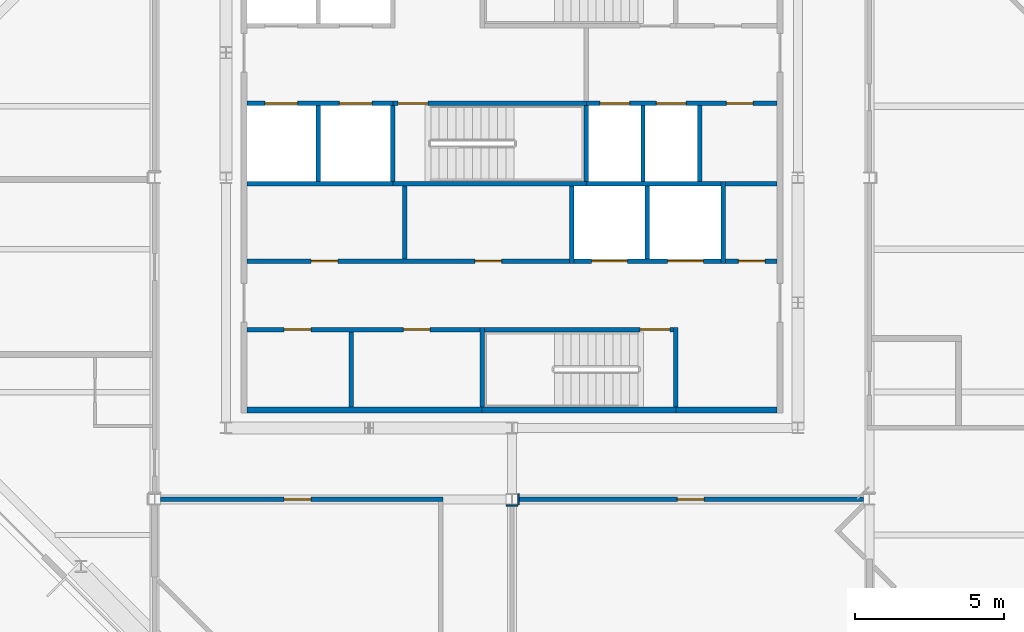
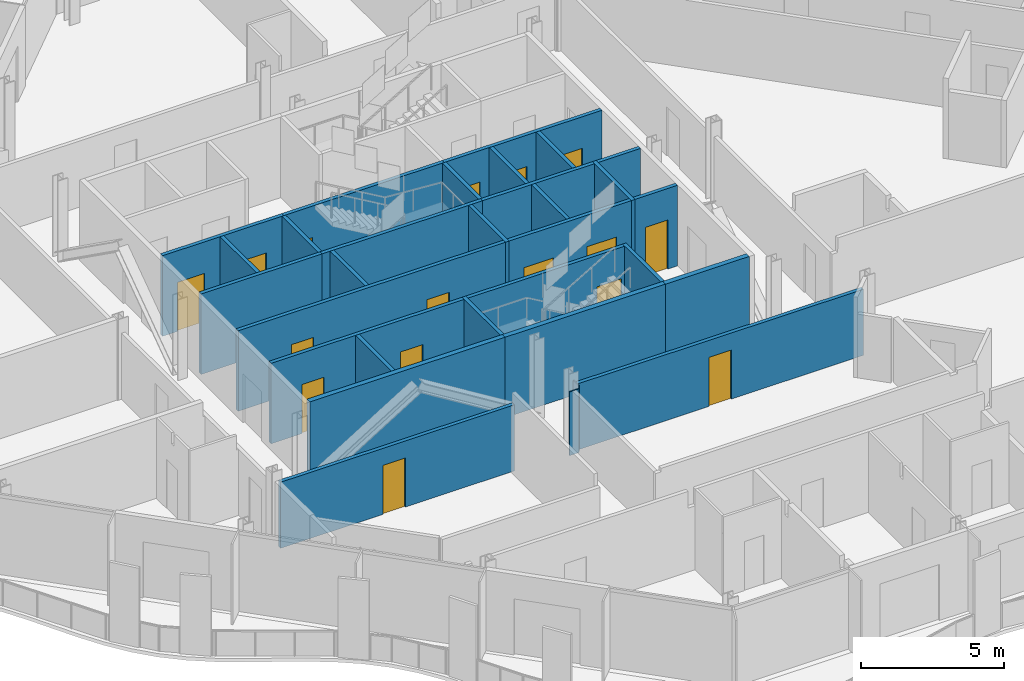
# One storey, part 8 of 17: 31 walls, 16 doors, 16 openings.
"""IFC4 building model written with IfcOpenShell, lengths in metres."""

from ifc_helpers import new_model, si_unit, direction, frame, frame_2d, origin, place, context, subcontext, project, spatial, rectangle, extrude, material, layer, layer_set, type_object, element, fill, save


model = new_model("IFC4")

# Units and contexts
model_context = context("Model", 3, precision=1e-05, world=origin(), true_north=direction((0.0, 1.0)))
body_context = subcontext(model_context, "Body", "Model", "MODEL_VIEW")
ifc_project = project(units=[si_unit("LENGTHUNIT", "METRE"), si_unit("AREAUNIT", "SQUARE_METRE"), si_unit("VOLUMEUNIT", "CUBIC_METRE"), si_unit("PLANEANGLEUNIT", "RADIAN"), si_unit("MASSUNIT", "GRAM", prefix="KILO")], contexts=[model_context])

# Site, building, storey
site_placement = place(None, origin())
site = spatial("IfcSite", under=ifc_project, at=site_placement, CompositionType="ELEMENT")
building_placement = place(site_placement, origin())
building = spatial("IfcBuilding", under=site, at=building_placement, Name="Cairn Pilgrim Tower", CompositionType="ELEMENT")
storey_placement = place(building_placement, frame((0.0, 0.0, 253.800048828125)))
storey = spatial("IfcBuildingStorey", under=building, at=storey_placement, Name="L65", CompositionType="ELEMENT", Elevation=253.800048828125)

# Walls
ifc_material_1 = material(Name="Concrete C32/40", Category="concrete")
ifc_layer_1 = layer(ifc_material_1, 0.199951171875)
ifc_layer_set_1 = layer_set([ifc_layer_1], Name="CORE OUTER WALL 200 EI 120")
wall_type_1 = type_object("IfcWallType", Name="CORE OUTER WALL 200 EI 120", PredefinedType="SOLIDWALL", material=ifc_layer_set_1)
wall_1_placement = place(storey_placement, frame((-1.699951171875, -5.39990234375, 0.0), z_axis=(0.0, 0.0, 1.0), x_axis=(1.0, 0.0, 0.0)))
element("IfcWall", 1, at=wall_1_placement, inside=storey, type_object=wall_type_1, Name="CW:L65:H01-1", PredefinedType="SOLIDWALL", context=body_context, shape_type="SweptSolid", body=[
    extrude(rectangle(XDim=7.89990234375, YDim=0.199951171875, at=frame_2d((3.949951171875, 0.0))), origin(), (0.0, 0.0, 1.0), 3.449951171875),
])
wall_2_placement = place(storey_placement, frame((12.699951171875, -5.39990234375, 0.0), z_axis=(0.0, 0.0, 1.0), x_axis=(1.0, 0.0, 0.0)))
element("IfcWall", 2, at=wall_2_placement, inside=storey, type_object=wall_type_1, Name="CW:L65:H01-3", PredefinedType="SOLIDWALL", context=body_context, shape_type="SweptSolid", body=[
    extrude(rectangle(XDim=3.400146484375, YDim=0.199951171875, at=frame_2d((1.7001953125, 0.0))), origin(), (0.0, 0.0, 1.0), 3.449951171875),
])

# Wall, openings, doors
ifc_layer_2 = layer(ifc_material_1, 0.14990234375)
ifc_layer_set_2 = layer_set([ifc_layer_2], Name="CORE PARTITION 150 EI 60")
wall_type_2 = type_object("IfcWallType", Name="CORE PARTITION 150 EI 60", PredefinedType="PARTITIONING", material=ifc_layer_set_2)
wall_3_placement = place(storey_placement, frame((-1.699951171875, -2.699951171875, 0.0), z_axis=(0.0, 0.0, 1.0), x_axis=(1.0, 0.0, 0.0)))
wall_3 = element("IfcWall", 3, at=wall_3_placement, inside=storey, type_object=wall_type_2, Name="CW:L65:H02", PredefinedType="PARTITIONING", context=body_context, shape_type="SweptSolid", body=[
    extrude(rectangle(XDim=7.824951171875, YDim=0.14990234375, at=frame_2d((3.91259765625, 0.0))), origin(), (0.0, 0.0, 1.0), 3.449951171875),
])
opening_1_placement = place(wall_3_placement, frame((1.25, 0.0, 0.0)))
opening_1 = element("IfcOpeningElement", 4, at=opening_1_placement, cuts=wall_3, Name="Opening RD-R1W1", PredefinedType="OPENING", context=body_context, shape_type="SweptSolid", body=[
    extrude(rectangle(XDim=0.89990234375, YDim=2.10009765625, at=frame_2d((0.449951171875, 1.050048828125))), frame((0.0, 0.0849609375, 0.0), z_axis=(0.0, -1.0, 0.0), x_axis=(1.0, 0.0, 0.0)), (0.0, 0.0, 1.0), 0.169921875),
])
opening_2_placement = place(wall_3_placement, frame((5.25, 0.0, 0.0)))
opening_2 = element("IfcOpeningElement", 5, at=opening_2_placement, cuts=wall_3, Name="Opening RD-R1W2", PredefinedType="OPENING", context=body_context, shape_type="SweptSolid", body=[
    extrude(rectangle(XDim=0.89990234375, YDim=2.10009765625, at=frame_2d((0.449951171875, 1.050048828125))), frame((0.0, 0.0849609375, 0.0), z_axis=(0.0, -1.0, 0.0), x_axis=(1.0, 0.0, 0.0)), (0.0, 0.0, 1.0), 0.169921875),
])
ifc_material_2 = material(Name="Painted steel", Category="steel")
door_type_1 = type_object("IfcDoorType", Name="SERVICE ROOM DOOR 900x2100", OperationType="SINGLE_SWING_LEFT", PredefinedType="DOOR", material=ifc_material_2)
door_1_placement = place(opening_1_placement, origin())
door_1 = element("IfcDoor", 6, at=door_1_placement, inside=storey, type_object=door_type_1, Name="RD-R1W1", OperationType="SINGLE_SWING_LEFT", OverallHeight=2.10009765625, OverallWidth=0.89990234375, PredefinedType="DOOR", context=body_context, shape_type="SweptSolid", body=[
    extrude(rectangle(XDim=0.89990234375, YDim=2.10009765625, at=frame_2d((0.449951171875, 1.050048828125))), frame((0.0, 0.02490234375, 0.0), z_axis=(0.0, -1.0, 0.0), x_axis=(1.0, 0.0, 0.0)), (0.0, 0.0, 1.0), 0.050048828125),
])
fill(opening_1, door_1)
door_2_placement = place(opening_2_placement, origin())
door_2 = element("IfcDoor", 7, at=door_2_placement, inside=storey, type_object=door_type_1, Name="RD-R1W2", OperationType="SINGLE_SWING_RIGHT", OverallHeight=2.10009765625, OverallWidth=0.89990234375, PredefinedType="DOOR", context=body_context, shape_type="SweptSolid", body=[
    extrude(rectangle(XDim=0.89990234375, YDim=2.10009765625, at=frame_2d((0.449951171875, 1.050048828125))), frame((0.0, 0.02490234375, 0.0), z_axis=(0.0, -1.0, 0.0), x_axis=(1.0, 0.0, 0.0)), (0.0, 0.0, 1.0), 0.050048828125),
])
fill(opening_2, door_2)

wall_4_placement = place(storey_placement, frame((-1.699951171875, -0.39990234375, 0.0), z_axis=(0.0, 0.0, 1.0), x_axis=(1.0, 0.0, 0.0)))
wall_4 = element("IfcWall", 8, at=wall_4_placement, inside=storey, type_object=wall_type_2, Name="CW:L65:H04", PredefinedType="PARTITIONING", context=body_context, shape_type="SweptSolid", body=[
    extrude(rectangle(XDim=10.824951171875, YDim=0.14990234375, at=frame_2d((5.41259765625, 0.0))), origin(), (0.0, 0.0, 1.0), 3.449951171875),
])
opening_3_placement = place(wall_4_placement, frame((2.14990234375, 0.0, 0.0)))
opening_3 = element("IfcOpeningElement", 9, at=opening_3_placement, cuts=wall_4, Name="Opening RD-R2W1", PredefinedType="OPENING", context=body_context, shape_type="SweptSolid", body=[
    extrude(rectangle(XDim=0.89990234375, YDim=2.10009765625, at=frame_2d((0.449951171875, 1.050048828125))), frame((0.0, 0.0849609375, 0.0), z_axis=(0.0, -1.0, 0.0), x_axis=(1.0, 0.0, 0.0)), (0.0, 0.0, 1.0), 0.169921875),
])
opening_4_placement = place(wall_4_placement, frame((7.64990234375, 0.0, 0.0)))
opening_4 = element("IfcOpeningElement", 10, at=opening_4_placement, cuts=wall_4, Name="Opening RD-R2W2", PredefinedType="OPENING", context=body_context, shape_type="SweptSolid", body=[
    extrude(rectangle(XDim=0.89990234375, YDim=2.10009765625, at=frame_2d((0.449951171875, 1.050048828125))), frame((0.0, 0.0849609375, 0.0), z_axis=(0.0, -1.0, 0.0), x_axis=(1.0, 0.0, 0.0)), (0.0, 0.0, 1.0), 0.169921875),
])
door_3_placement = place(opening_3_placement, origin())
door_3 = element("IfcDoor", 11, at=door_3_placement, inside=storey, type_object=door_type_1, Name="RD-R2W1", OperationType="SINGLE_SWING_LEFT", OverallHeight=2.10009765625, OverallWidth=0.89990234375, PredefinedType="DOOR", context=body_context, shape_type="SweptSolid", body=[
    extrude(rectangle(XDim=0.89990234375, YDim=2.10009765625, at=frame_2d((0.449951171875, 1.050048828125))), frame((0.0, 0.02490234375, 0.0), z_axis=(0.0, -1.0, 0.0), x_axis=(1.0, 0.0, 0.0)), (0.0, 0.0, 1.0), 0.050048828125),
])
fill(opening_3, door_3)
door_4_placement = place(opening_4_placement, origin())
door_4 = element("IfcDoor", 12, at=door_4_placement, inside=storey, type_object=door_type_1, Name="RD-R2W2", OperationType="SINGLE_SWING_RIGHT", OverallHeight=2.10009765625, OverallWidth=0.89990234375, PredefinedType="DOOR", context=body_context, shape_type="SweptSolid", body=[
    extrude(rectangle(XDim=0.89990234375, YDim=2.10009765625, at=frame_2d((0.449951171875, 1.050048828125))), frame((0.0, 0.02490234375, 0.0), z_axis=(0.0, -1.0, 0.0), x_axis=(1.0, 0.0, 0.0)), (0.0, 0.0, 1.0), 0.050048828125),
])
fill(opening_4, door_4)

# Wall, opening, door
wall_5_placement = place(storey_placement, frame((14.375, -0.39990234375, 0.0), z_axis=(0.0, 0.0, 1.0), x_axis=(1.0, 0.0, 0.0)))
wall_5 = element("IfcWall", 13, at=wall_5_placement, inside=storey, type_object=wall_type_2, Name="CW:L65:H06", PredefinedType="PARTITIONING", context=body_context, shape_type="SweptSolid", body=[
    extrude(rectangle(XDim=1.72509765625, YDim=0.14990234375, at=frame_2d((0.862548828125, 0.0))), origin(), (0.0, 0.0, 1.0), 3.449951171875),
])
opening_5_placement = place(wall_5_placement, frame((0.425048828125, 0.0, 0.0)))
opening_5 = element("IfcOpeningElement", 14, at=opening_5_placement, cuts=wall_5, Name="Opening RD-R2E", PredefinedType="OPENING", context=body_context, shape_type="SweptSolid", body=[
    extrude(rectangle(XDim=0.89990234375, YDim=2.10009765625, at=frame_2d((0.449951171875, 1.050048828125))), frame((0.0, 0.0849609375, 0.0), z_axis=(0.0, -1.0, 0.0), x_axis=(1.0, 0.0, 0.0)), (0.0, 0.0, 1.0), 0.169921875),
])
door_5_placement = place(opening_5_placement, origin())
door_5 = element("IfcDoor", 15, at=door_5_placement, inside=storey, type_object=door_type_1, Name="RD-R2E", OperationType="SINGLE_SWING_RIGHT", OverallHeight=2.10009765625, OverallWidth=0.89990234375, PredefinedType="DOOR", context=body_context, shape_type="SweptSolid", body=[
    extrude(rectangle(XDim=0.89990234375, YDim=2.10009765625, at=frame_2d((0.449951171875, 1.050048828125))), frame((0.0, 0.02490234375, 0.0), z_axis=(0.0, -1.0, 0.0), x_axis=(1.0, 0.0, 0.0)), (0.0, 0.0, 1.0), 0.050048828125),
])
fill(opening_5, door_5)

# Walls
wall_6_placement = place(storey_placement, frame((14.375, 2.199951171875, 0.0), z_axis=(0.0, 0.0, 1.0), x_axis=(1.0, 0.0, 0.0)))
element("IfcWall", 16, at=wall_6_placement, inside=storey, type_object=wall_type_2, Name="CW:L65:H08", PredefinedType="PARTITIONING", context=body_context, shape_type="SweptSolid", body=[
    extrude(rectangle(XDim=1.72509765625, YDim=0.14990234375, at=frame_2d((0.862548828125, 0.0))), origin(), (0.0, 0.0, 1.0), 3.449951171875),
])
wall_7_placement = place(storey_placement, frame((1.800048828125, -5.300048828125, 0.0), z_axis=(0.0, 0.0, 1.0), x_axis=(0.0, 1.0, 0.0)))
element("IfcWall", 17, at=wall_7_placement, inside=storey, type_object=wall_type_2, Name="CW:L65:V16", PredefinedType="PARTITIONING", context=body_context, shape_type="SweptSolid", body=[
    extrude(rectangle(XDim=2.525146484375, YDim=0.14990234375, at=frame_2d((1.2626953125, 0.0))), origin(), (0.0, 0.0, 1.0), 3.449951171875),
])
wall_8_placement = place(storey_placement, frame((3.60009765625, -0.324951171875, 0.0), z_axis=(0.0, 0.0, 1.0), x_axis=(0.0, 1.0, 0.0)))
element("IfcWall", 18, at=wall_8_placement, inside=storey, type_object=wall_type_2, Name="CW:L65:V19", PredefinedType="PARTITIONING", context=body_context, shape_type="SweptSolid", body=[
    extrude(rectangle(XDim=2.449951171875, YDim=0.14990234375, at=frame_2d((1.22509765625, 0.0))), origin(), (0.0, 0.0, 1.0), 3.449951171875),
])

# Wall, openings, doors
ifc_layer_3 = layer(ifc_material_1, 0.14990234375)
ifc_layer_set_3 = layer_set([ifc_layer_3], Name="CORE SHAFT WALL 150 EI 120")
wall_type_3 = type_object("IfcWallType", Name="CORE SHAFT WALL 150 EI 120", PredefinedType="SOLIDWALL", material=ifc_layer_set_3)
wall_9_placement = place(storey_placement, frame((9.27490234375, -0.39990234375, 0.0), z_axis=(0.0, 0.0, 1.0), x_axis=(1.0, 0.0, 0.0)))
wall_9 = element("IfcWall", 19, at=wall_9_placement, inside=storey, type_object=wall_type_3, Name="CW:L65:H05", PredefinedType="SOLIDWALL", context=body_context, shape_type="SweptSolid", body=[
    extrude(rectangle(XDim=4.9501953125, YDim=0.14990234375, at=frame_2d((2.47509765625, 0.0))), origin(), (0.0, 0.0, 1.0), 3.449951171875),
])
opening_6_placement = place(wall_9_placement, frame((0.60009765625, 0.0, 0.0)))
opening_6 = element("IfcOpeningElement", 20, at=opening_6_placement, cuts=wall_9, Name="Opening LD-SV1", PredefinedType="OPENING", context=body_context, shape_type="SweptSolid", body=[
    extrude(rectangle(XDim=1.199951171875, YDim=2.10009765625, at=frame_2d((0.60009765625, 1.050048828125))), frame((0.0, 0.0849609375, 0.0), z_axis=(0.0, -1.0, 0.0), x_axis=(1.0, 0.0, 0.0)), (0.0, 0.0, 1.0), 0.169921875),
])
opening_7_placement = place(wall_9_placement, frame((3.14990234375, 0.0, 0.0)))
opening_7 = element("IfcOpeningElement", 21, at=opening_7_placement, cuts=wall_9, Name="Opening LD-SV2", PredefinedType="OPENING", context=body_context, shape_type="SweptSolid", body=[
    extrude(rectangle(XDim=1.199951171875, YDim=2.10009765625, at=frame_2d((0.60009765625, 1.050048828125))), frame((0.0, 0.0849609375, 0.0), z_axis=(0.0, -1.0, 0.0), x_axis=(1.0, 0.0, 0.0)), (0.0, 0.0, 1.0), 0.169921875),
])
ifc_material_3 = material(Name="Stainless steel", Category="steel")
door_type_2 = type_object("IfcDoorType", Name="LIFT LANDING DOOR 1200x2100", OperationType="DOUBLE_DOOR_SLIDING", PredefinedType="DOOR", material=ifc_material_3)
door_6_placement = place(opening_6_placement, origin())
door_6 = element("IfcDoor", 22, at=door_6_placement, inside=storey, type_object=door_type_2, Name="LANDING DOOR SV1", OperationType="DOUBLE_DOOR_SLIDING", OverallHeight=2.10009765625, OverallWidth=1.199951171875, PredefinedType="DOOR", context=body_context, shape_type="SweptSolid", body=[
    extrude(rectangle(XDim=1.199951171875, YDim=2.10009765625, at=frame_2d((0.60009765625, 1.050048828125))), frame((0.0, 0.02490234375, 0.0), z_axis=(0.0, -1.0, 0.0), x_axis=(1.0, 0.0, 0.0)), (0.0, 0.0, 1.0), 0.050048828125),
])
fill(opening_6, door_6)
door_7_placement = place(opening_7_placement, origin())
door_7 = element("IfcDoor", 23, at=door_7_placement, inside=storey, type_object=door_type_2, Name="LANDING DOOR SV2", OperationType="DOUBLE_DOOR_SLIDING", OverallHeight=2.10009765625, OverallWidth=1.199951171875, PredefinedType="DOOR", context=body_context, shape_type="SweptSolid", body=[
    extrude(rectangle(XDim=1.199951171875, YDim=2.10009765625, at=frame_2d((0.60009765625, 1.050048828125))), frame((0.0, 0.02490234375, 0.0), z_axis=(0.0, -1.0, 0.0), x_axis=(1.0, 0.0, 0.0)), (0.0, 0.0, 1.0), 0.050048828125),
])
fill(opening_7, door_7)

# Walls
wall_10_placement = place(storey_placement, frame((-1.699951171875, 2.199951171875, 0.0), z_axis=(0.0, 0.0, 1.0), x_axis=(1.0, 0.0, 0.0)))
element("IfcWall", 24, at=wall_10_placement, inside=storey, type_object=wall_type_3, Name="CW:L65:H07-1", PredefinedType="SOLIDWALL", context=body_context, shape_type="SweptSolid", body=[
    extrude(rectangle(XDim=4.89990234375, YDim=0.14990234375, at=frame_2d((2.449951171875, 0.0))), origin(), (0.0, 0.0, 1.0), 3.449951171875),
])
wall_11_placement = place(storey_placement, frame((9.699951171875, 2.199951171875, 0.0), z_axis=(0.0, 0.0, 1.0), x_axis=(1.0, 0.0, 0.0)))
element("IfcWall", 25, at=wall_11_placement, inside=storey, type_object=wall_type_3, Name="CW:L65:H07-3", PredefinedType="SOLIDWALL", context=body_context, shape_type="SweptSolid", body=[
    extrude(rectangle(XDim=4.525146484375, YDim=0.14990234375, at=frame_2d((2.2626953125, 0.0))), origin(), (0.0, 0.0, 1.0), 3.449951171875),
])

# Wall, openings, doors
wall_12_placement = place(storey_placement, frame((-1.699951171875, 4.89990234375, 0.0), z_axis=(0.0, 0.0, 1.0), x_axis=(1.0, 0.0, 0.0)))
wall_12 = element("IfcWall", 26, at=wall_12_placement, inside=storey, type_object=wall_type_3, Name="CW:L65:H09-1", PredefinedType="SOLIDWALL", context=body_context, shape_type="SweptSolid", body=[
    extrude(rectangle(XDim=4.89990234375, YDim=0.14990234375, at=frame_2d((2.449951171875, 0.0))), origin(), (0.0, 0.0, 1.0), 3.449951171875),
])
opening_8_placement = place(wall_12_placement, frame((0.60009765625, 0.0, 0.0)))
opening_8 = element("IfcOpeningElement", 27, at=opening_8_placement, cuts=wall_12, Name="Opening LD-HR1", PredefinedType="OPENING", context=body_context, shape_type="SweptSolid", body=[
    extrude(rectangle(XDim=1.10009765625, YDim=2.10009765625, at=frame_2d((0.550048828125, 1.050048828125))), frame((0.0, 0.0849609375, 0.0), z_axis=(0.0, -1.0, 0.0), x_axis=(1.0, 0.0, 0.0)), (0.0, 0.0, 1.0), 0.169921875),
])
opening_9_placement = place(wall_12_placement, frame((3.10009765625, 0.0, 0.0)))
opening_9 = element("IfcOpeningElement", 28, at=opening_9_placement, cuts=wall_12, Name="Opening LD-HR2", PredefinedType="OPENING", context=body_context, shape_type="SweptSolid", body=[
    extrude(rectangle(XDim=1.10009765625, YDim=2.10009765625, at=frame_2d((0.550048828125, 1.050048828125))), frame((0.0, 0.0849609375, 0.0), z_axis=(0.0, -1.0, 0.0), x_axis=(1.0, 0.0, 0.0)), (0.0, 0.0, 1.0), 0.169921875),
])
door_type_3 = type_object("IfcDoorType", Name="LIFT LANDING DOOR 1100x2100", OperationType="DOUBLE_DOOR_SLIDING", PredefinedType="DOOR", material=ifc_material_3)
door_8_placement = place(opening_8_placement, origin())
door_8 = element("IfcDoor", 29, at=door_8_placement, inside=storey, type_object=door_type_3, Name="LANDING DOOR HR1", OperationType="DOUBLE_DOOR_SLIDING", OverallHeight=2.10009765625, OverallWidth=1.10009765625, PredefinedType="DOOR", context=body_context, shape_type="SweptSolid", body=[
    extrude(rectangle(XDim=1.10009765625, YDim=2.10009765625, at=frame_2d((0.550048828125, 1.050048828125))), frame((0.0, 0.02490234375, 0.0), z_axis=(0.0, -1.0, 0.0), x_axis=(1.0, 0.0, 0.0)), (0.0, 0.0, 1.0), 0.050048828125),
])
fill(opening_8, door_8)
door_9_placement = place(opening_9_placement, origin())
door_9 = element("IfcDoor", 30, at=door_9_placement, inside=storey, type_object=door_type_3, Name="LANDING DOOR HR2", OperationType="DOUBLE_DOOR_SLIDING", OverallHeight=2.10009765625, OverallWidth=1.10009765625, PredefinedType="DOOR", context=body_context, shape_type="SweptSolid", body=[
    extrude(rectangle(XDim=1.10009765625, YDim=2.10009765625, at=frame_2d((0.550048828125, 1.050048828125))), frame((0.0, 0.02490234375, 0.0), z_axis=(0.0, -1.0, 0.0), x_axis=(1.0, 0.0, 0.0)), (0.0, 0.0, 1.0), 0.050048828125),
])
fill(opening_9, door_9)

wall_13_placement = place(storey_placement, frame((9.699951171875, 4.89990234375, 0.0), z_axis=(0.0, 0.0, 1.0), x_axis=(1.0, 0.0, 0.0)))
wall_13 = element("IfcWall", 31, at=wall_13_placement, inside=storey, type_object=wall_type_3, Name="CW:L65:H09-3", PredefinedType="SOLIDWALL", context=body_context, shape_type="SweptSolid", body=[
    extrude(rectangle(XDim=6.400146484375, YDim=0.14990234375, at=frame_2d((3.2001953125, 0.0))), origin(), (0.0, 0.0, 1.0), 3.449951171875),
])
opening_10_placement = place(wall_13_placement, frame((0.449951171875, 0.0, 0.0)))
opening_10 = element("IfcOpeningElement", 32, at=opening_10_placement, cuts=wall_13, Name="Opening LD-FF1", PredefinedType="OPENING", context=body_context, shape_type="SweptSolid", body=[
    extrude(rectangle(XDim=1.0, YDim=2.10009765625, at=frame_2d((0.5, 1.050048828125))), frame((0.0, 0.0849609375, 0.0), z_axis=(0.0, -1.0, 0.0), x_axis=(1.0, 0.0, 0.0)), (0.0, 0.0, 1.0), 0.169921875),
])
opening_11_placement = place(wall_13_placement, frame((2.35009765625, 0.0, 0.0)))
opening_11 = element("IfcOpeningElement", 33, at=opening_11_placement, cuts=wall_13, Name="Opening LD-FF2", PredefinedType="OPENING", context=body_context, shape_type="SweptSolid", body=[
    extrude(rectangle(XDim=1.0, YDim=2.10009765625, at=frame_2d((0.5, 1.050048828125))), frame((0.0, 0.0849609375, 0.0), z_axis=(0.0, -1.0, 0.0), x_axis=(1.0, 0.0, 0.0)), (0.0, 0.0, 1.0), 0.169921875),
])
opening_12_placement = place(wall_13_placement, frame((4.699951171875, 0.0, 0.0)))
opening_12 = element("IfcOpeningElement", 34, at=opening_12_placement, cuts=wall_13, Name="Opening RD-R3E", PredefinedType="OPENING", context=body_context, shape_type="SweptSolid", body=[
    extrude(rectangle(XDim=0.89990234375, YDim=2.10009765625, at=frame_2d((0.449951171875, 1.050048828125))), frame((0.0, 0.0849609375, 0.0), z_axis=(0.0, -1.0, 0.0), x_axis=(1.0, 0.0, 0.0)), (0.0, 0.0, 1.0), 0.169921875),
])
door_type_4 = type_object("IfcDoorType", Name="LIFT LANDING DOOR FIRE 1000x2100", OperationType="DOUBLE_DOOR_SLIDING", PredefinedType="DOOR", material=ifc_material_3)
door_10_placement = place(opening_10_placement, origin())
door_10 = element("IfcDoor", 35, at=door_10_placement, inside=storey, type_object=door_type_4, Name="LANDING DOOR FF1", OperationType="DOUBLE_DOOR_SLIDING", OverallHeight=2.10009765625, OverallWidth=1.0, PredefinedType="DOOR", context=body_context, shape_type="SweptSolid", body=[
    extrude(rectangle(XDim=1.0, YDim=2.10009765625, at=frame_2d((0.5, 1.050048828125))), frame((0.0, 0.02490234375, 0.0), z_axis=(0.0, -1.0, 0.0), x_axis=(1.0, 0.0, 0.0)), (0.0, 0.0, 1.0), 0.050048828125),
])
fill(opening_10, door_10)
door_11_placement = place(opening_11_placement, origin())
door_11 = element("IfcDoor", 36, at=door_11_placement, inside=storey, type_object=door_type_4, Name="LANDING DOOR FF2", OperationType="DOUBLE_DOOR_SLIDING", OverallHeight=2.10009765625, OverallWidth=1.0, PredefinedType="DOOR", context=body_context, shape_type="SweptSolid", body=[
    extrude(rectangle(XDim=1.0, YDim=2.10009765625, at=frame_2d((0.5, 1.050048828125))), frame((0.0, 0.02490234375, 0.0), z_axis=(0.0, -1.0, 0.0), x_axis=(1.0, 0.0, 0.0)), (0.0, 0.0, 1.0), 0.050048828125),
])
fill(opening_11, door_11)
door_12_placement = place(opening_12_placement, origin())
door_12 = element("IfcDoor", 37, at=door_12_placement, inside=storey, type_object=door_type_1, Name="RD-R3E", OperationType="SINGLE_SWING_LEFT", OverallHeight=2.10009765625, OverallWidth=0.89990234375, PredefinedType="DOOR", context=body_context, shape_type="SweptSolid", body=[
    extrude(rectangle(XDim=0.89990234375, YDim=2.10009765625, at=frame_2d((0.449951171875, 1.050048828125))), frame((0.0, 0.02490234375, 0.0), z_axis=(0.0, -1.0, 0.0), x_axis=(1.0, 0.0, 0.0)), (0.0, 0.0, 1.0), 0.050048828125),
])
fill(opening_12, door_12)

# Walls
wall_14_placement = place(storey_placement, frame((0.699951171875, 2.27490234375, 0.0), z_axis=(0.0, 0.0, 1.0), x_axis=(0.0, 1.0, 0.0)))
element("IfcWall", 38, at=wall_14_placement, inside=storey, type_object=wall_type_3, Name="CW:L65:V14", PredefinedType="SOLIDWALL", context=body_context, shape_type="SweptSolid", body=[
    extrude(rectangle(XDim=2.550048828125, YDim=0.14990234375, at=frame_2d((1.27490234375, 0.0))), origin(), (0.0, 0.0, 1.0), 3.449951171875),
])
wall_15_placement = place(storey_placement, frame((9.199951171875, -0.47509765625, 0.0), z_axis=(0.0, 0.0, 1.0), x_axis=(0.0, 1.0, 0.0)))
element("IfcWall", 39, at=wall_15_placement, inside=storey, type_object=wall_type_3, Name="CW:L65:V22", PredefinedType="SOLIDWALL", context=body_context, shape_type="SweptSolid", body=[
    extrude(rectangle(XDim=2.60009765625, YDim=0.14990234375, at=frame_2d((1.300048828125, 0.0))), origin(), (0.0, 0.0, 1.0), 3.449951171875),
])
wall_16_placement = place(storey_placement, frame((11.60009765625, 2.27490234375, 0.0), z_axis=(0.0, 0.0, 1.0), x_axis=(0.0, 1.0, 0.0)))
element("IfcWall", 40, at=wall_16_placement, inside=storey, type_object=wall_type_3, Name="CW:L65:V25", PredefinedType="SOLIDWALL", context=body_context, shape_type="SweptSolid", body=[
    extrude(rectangle(XDim=2.550048828125, YDim=0.14990234375, at=frame_2d((1.27490234375, 0.0))), origin(), (0.0, 0.0, 1.0), 3.449951171875),
])
wall_17_placement = place(storey_placement, frame((11.75, -0.324951171875, 0.0), z_axis=(0.0, 0.0, 1.0), x_axis=(0.0, 1.0, 0.0)))
element("IfcWall", 41, at=wall_17_placement, inside=storey, type_object=wall_type_3, Name="CW:L65:V26", PredefinedType="SOLIDWALL", context=body_context, shape_type="SweptSolid", body=[
    extrude(rectangle(XDim=2.449951171875, YDim=0.14990234375, at=frame_2d((1.22509765625, 0.0))), origin(), (0.0, 0.0, 1.0), 3.449951171875),
])
wall_18_placement = place(storey_placement, frame((13.5, 2.27490234375, 0.0), z_axis=(0.0, 0.0, 1.0), x_axis=(0.0, 1.0, 0.0)))
element("IfcWall", 42, at=wall_18_placement, inside=storey, type_object=wall_type_3, Name="CW:L65:V29", PredefinedType="SOLIDWALL", context=body_context, shape_type="SweptSolid", body=[
    extrude(rectangle(XDim=2.550048828125, YDim=0.14990234375, at=frame_2d((1.27490234375, 0.0))), origin(), (0.0, 0.0, 1.0), 3.449951171875),
])
wall_19_placement = place(storey_placement, frame((14.300048828125, -0.47509765625, 0.0), z_axis=(0.0, 0.0, 1.0), x_axis=(0.0, 1.0, 0.0)))
element("IfcWall", 43, at=wall_19_placement, inside=storey, type_object=wall_type_3, Name="CW:L65:V30", PredefinedType="SOLIDWALL", context=body_context, shape_type="SweptSolid", body=[
    extrude(rectangle(XDim=2.75, YDim=0.14990234375, at=frame_2d((1.375, 0.0))), origin(), (0.0, 0.0, 1.0), 3.449951171875),
])

# Wall, opening, door
ifc_material_4 = material(Name="Gypsum partition")
ifc_layer_4 = layer(ifc_material_4, 0.14990234375)
ifc_layer_set_4 = layer_set([ifc_layer_4], Name="PARTITION 150 DRYWALL EI 60")
wall_type_4 = type_object("IfcWallType", Name="PARTITION 150 DRYWALL EI 60", PredefinedType="PARTITIONING", material=ifc_layer_set_4)
wall_20_placement = place(storey_placement, frame((-4.60302734375, -8.39990234375, 0.0), z_axis=(0.0, 0.0, 1.0), x_axis=(1.0, 0.0, 0.0)))
wall_20 = element("IfcWall", 44, at=wall_20_placement, inside=storey, type_object=wall_type_4, Name="PARTITION W032", PredefinedType="PARTITIONING", context=body_context, shape_type="SweptSolid", body=[
    extrude(rectangle(XDim=9.47802734375, YDim=0.14990234375, at=frame_2d((4.739013671875, 0.0))), origin(), (0.0, 0.0, 1.0), 2.829833984375),
])
opening_13_placement = place(wall_20_placement, frame((4.153076171875, 0.0, 0.0)))
opening_13 = element("IfcOpeningElement", 45, at=opening_13_placement, cuts=wall_20, Name="Opening 6520", PredefinedType="OPENING", context=body_context, shape_type="SweptSolid", body=[
    extrude(rectangle(XDim=0.89990234375, YDim=2.10009765625, at=frame_2d((0.449951171875, 1.050048828125))), frame((0.0, 0.0849609375, 0.0), z_axis=(0.0, -1.0, 0.0), x_axis=(1.0, 0.0, 0.0)), (0.0, 0.0, 1.0), 0.169921875),
])
ifc_material_5 = material(Name="Timber door leaf", Category="wood")
door_type_5 = type_object("IfcDoorType", Name="SERVICE DOOR 900x2100 FD30S", OperationType="NOTDEFINED", PredefinedType="DOOR", material=ifc_material_5)
door_13_placement = place(opening_13_placement, frame((0.89990234375, 0.0, 0.0), z_axis=(0.0, 0.0, 1.0), x_axis=(-1.0, 0.0, 0.0)))
door_13 = element("IfcDoor", 46, at=door_13_placement, inside=storey, type_object=door_type_5, Name="DOOR 6520", OperationType="SINGLE_SWING_RIGHT", OverallHeight=2.10009765625, OverallWidth=0.89990234375, PredefinedType="DOOR", context=body_context, shape_type="SweptSolid", body=[
    extrude(rectangle(XDim=0.89990234375, YDim=2.10009765625, at=frame_2d((0.449951171875, 1.050048828125))), frame((0.0, 0.02490234375, 0.0), z_axis=(0.0, -1.0, 0.0), x_axis=(1.0, 0.0, 0.0)), (0.0, 0.0, 1.0), 0.050048828125),
])
fill(opening_13, door_13)

wall_21_placement = place(storey_placement, frame((7.39697265625, -8.39990234375, 0.0), z_axis=(0.0, 0.0, 1.0), x_axis=(1.0, 0.0, 0.0)))
wall_21 = element("IfcWall", 47, at=wall_21_placement, inside=storey, type_object=wall_type_4, Name="PARTITION W033", PredefinedType="PARTITIONING", context=body_context, shape_type="SweptSolid", body=[
    extrude(rectangle(XDim=11.60595703125, YDim=0.14990234375, at=frame_2d((5.802978515625, 0.0))), origin(), (0.0, 0.0, 1.0), 2.829833984375),
])
opening_14_placement = place(wall_21_placement, frame((5.35302734375, 0.0, 0.0)))
opening_14 = element("IfcOpeningElement", 48, at=opening_14_placement, cuts=wall_21, Name="Opening 6521", PredefinedType="OPENING", context=body_context, shape_type="SweptSolid", body=[
    extrude(rectangle(XDim=0.89990234375, YDim=2.10009765625, at=frame_2d((0.449951171875, 1.050048828125))), frame((0.0, 0.0849609375, 0.0), z_axis=(0.0, -1.0, 0.0), x_axis=(1.0, 0.0, 0.0)), (0.0, 0.0, 1.0), 0.169921875),
])
door_14_placement = place(opening_14_placement, frame((0.89990234375, 0.0, 0.0), z_axis=(0.0, 0.0, 1.0), x_axis=(-1.0, 0.0, 0.0)))
door_14 = element("IfcDoor", 49, at=door_14_placement, inside=storey, type_object=door_type_5, Name="DOOR 6521", OperationType="SINGLE_SWING_RIGHT", OverallHeight=2.10009765625, OverallWidth=0.89990234375, PredefinedType="DOOR", context=body_context, shape_type="SweptSolid", body=[
    extrude(rectangle(XDim=0.89990234375, YDim=2.10009765625, at=frame_2d((0.449951171875, 1.050048828125))), frame((0.0, 0.02490234375, 0.0), z_axis=(0.0, -1.0, 0.0), x_axis=(1.0, 0.0, 0.0)), (0.0, 0.0, 1.0), 0.050048828125),
])
fill(opening_14, door_14)

# Walls
ifc_layer_5 = layer(ifc_material_4, 0.050048828125)
ifc_layer_set_5 = layer_set([ifc_layer_5], Name="PARTITION 50 DRYWALL EI 60")
wall_type_5 = type_object("IfcWallType", Name="PARTITION 50 DRYWALL EI 60", PredefinedType="PARTITIONING", material=ifc_layer_set_5)
wall_22_placement = place(storey_placement, frame((7.422119140625, -8.58740234375, 0.0), z_axis=(0.0, 0.0, 1.0), x_axis=(0.0, 1.0, 0.0)))
element("IfcWall", 50, at=wall_22_placement, inside=storey, type_object=wall_type_5, Name="COLUMN CASING WC04", PredefinedType="PARTITIONING", context=body_context, shape_type="SweptSolid", body=[
    extrude(rectangle(XDim=0.375, YDim=0.050048828125, at=frame_2d((0.1875, 0.0))), origin(), (0.0, 0.0, 1.0), 2.829833984375),
])
wall_23_placement = place(storey_placement, frame((7.0029296875, -8.612548828125, 0.0), z_axis=(0.0, 0.0, 1.0), x_axis=(1.0, 0.0, 0.0)))
element("IfcWall", 51, at=wall_23_placement, inside=storey, type_object=wall_type_5, Name="COLUMN CASING WC12", PredefinedType="PARTITIONING", context=body_context, shape_type="SweptSolid", body=[
    extrude(rectangle(XDim=0.39404296875, YDim=0.050048828125, at=frame_2d((0.197021484375, 0.0))), origin(), (0.0, 0.0, 1.0), 2.72998046875),
])

# Wall, opening, door
ifc_material_6 = material(Name="Concrete C35/45", Category="concrete")
ifc_layer_6 = layer(ifc_material_6, 0.14990234375)
ifc_layer_set_6 = layer_set([ifc_layer_6], Name="STAIR SHAFT WALL 150 EI 120")
wall_type_6 = type_object("IfcWallType", Name="STAIR SHAFT WALL 150 EI 120", PredefinedType="SOLIDWALL", material=ifc_layer_set_6)
wall_24_placement = place(storey_placement, frame((6.27490234375, -2.699951171875, 0.0), z_axis=(0.0, 0.0, 1.0), x_axis=(1.0, 0.0, 0.0)))
wall_24 = element("IfcWall", 52, at=wall_24_placement, inside=storey, type_object=wall_type_6, Name="CW:L65:H03", PredefinedType="SOLIDWALL", context=body_context, shape_type="SweptSolid", body=[
    extrude(rectangle(XDim=6.35009765625, YDim=0.14990234375, at=frame_2d((3.175048828125, 0.0))), origin(), (0.0, 0.0, 1.0), 3.449951171875),
])
opening_15_placement = place(wall_24_placement, frame((5.22509765625, 0.0, 0.0)))
opening_15 = element("IfcOpeningElement", 53, at=opening_15_placement, cuts=wall_24, Name="Opening SD-A", PredefinedType="OPENING", context=body_context, shape_type="SweptSolid", body=[
    extrude(rectangle(XDim=1.0, YDim=2.10009765625, at=frame_2d((0.5, 1.050048828125))), frame((0.0, 0.0849609375, 0.0), z_axis=(0.0, -1.0, 0.0), x_axis=(1.0, 0.0, 0.0)), (0.0, 0.0, 1.0), 0.169921875),
])
door_type_6 = type_object("IfcDoorType", Name="STAIR DOOR FD60S 1000x2100", OperationType="SINGLE_SWING_LEFT", PredefinedType="DOOR", material=ifc_material_2)
door_15_placement = place(opening_15_placement, origin())
door_15 = element("IfcDoor", 54, at=door_15_placement, inside=storey, type_object=door_type_6, Name="SD-A", OperationType="SINGLE_SWING_LEFT", OverallHeight=2.10009765625, OverallWidth=1.0, PredefinedType="DOOR", context=body_context, shape_type="SweptSolid", body=[
    extrude(rectangle(XDim=1.0, YDim=2.10009765625, at=frame_2d((0.5, 1.050048828125))), frame((0.0, 0.02490234375, 0.0), z_axis=(0.0, -1.0, 0.0), x_axis=(1.0, 0.0, 0.0)), (0.0, 0.0, 1.0), 0.050048828125),
])
fill(opening_15, door_15)

# Wall
wall_25_placement = place(storey_placement, frame((3.199951171875, 2.199951171875, 0.0), z_axis=(0.0, 0.0, 1.0), x_axis=(1.0, 0.0, 0.0)))
element("IfcWall", 55, at=wall_25_placement, inside=storey, type_object=wall_type_6, Name="CW:L65:H07-2", PredefinedType="SOLIDWALL", context=body_context, shape_type="SweptSolid", body=[
    extrude(rectangle(XDim=6.5, YDim=0.14990234375, at=frame_2d((3.25, 0.0))), origin(), (0.0, 0.0, 1.0), 3.449951171875),
])

# Wall, opening, door
wall_26_placement = place(storey_placement, frame((3.199951171875, 4.89990234375, 0.0), z_axis=(0.0, 0.0, 1.0), x_axis=(1.0, 0.0, 0.0)))
wall_26 = element("IfcWall", 56, at=wall_26_placement, inside=storey, type_object=wall_type_6, Name="CW:L65:H09-2", PredefinedType="SOLIDWALL", context=body_context, shape_type="SweptSolid", body=[
    extrude(rectangle(XDim=6.5, YDim=0.14990234375, at=frame_2d((3.25, 0.0))), origin(), (0.0, 0.0, 1.0), 3.449951171875),
])
opening_16_placement = place(wall_26_placement, frame((0.175048828125, 0.0, 0.0)))
opening_16 = element("IfcOpeningElement", 57, at=opening_16_placement, cuts=wall_26, Name="Opening SD-B", PredefinedType="OPENING", context=body_context, shape_type="SweptSolid", body=[
    extrude(rectangle(XDim=1.0, YDim=2.10009765625, at=frame_2d((0.5, 1.050048828125))), frame((0.0, 0.0849609375, 0.0), z_axis=(0.0, -1.0, 0.0), x_axis=(1.0, 0.0, 0.0)), (0.0, 0.0, 1.0), 0.169921875),
])
door_16_placement = place(opening_16_placement, origin())
door_16 = element("IfcDoor", 58, at=door_16_placement, inside=storey, type_object=door_type_6, Name="SD-B", OperationType="SINGLE_SWING_RIGHT", OverallHeight=2.10009765625, OverallWidth=1.0, PredefinedType="DOOR", context=body_context, shape_type="SweptSolid", body=[
    extrude(rectangle(XDim=1.0, YDim=2.10009765625, at=frame_2d((0.5, 1.050048828125))), frame((0.0, 0.02490234375, 0.0), z_axis=(0.0, -1.0, 0.0), x_axis=(1.0, 0.0, 0.0)), (0.0, 0.0, 1.0), 0.050048828125),
])
fill(opening_16, door_16)

# Walls
wall_27_placement = place(storey_placement, frame((3.199951171875, 2.27490234375, 0.0), z_axis=(0.0, 0.0, 1.0), x_axis=(0.0, 1.0, 0.0)))
element("IfcWall", 59, at=wall_27_placement, inside=storey, type_object=wall_type_6, Name="CW:L65:V17", PredefinedType="SOLIDWALL", context=body_context, shape_type="SweptSolid", body=[
    extrude(rectangle(XDim=2.550048828125, YDim=0.14990234375, at=frame_2d((1.27490234375, 0.0))), origin(), (0.0, 0.0, 1.0), 3.449951171875),
])
wall_28_placement = place(storey_placement, frame((6.199951171875, -5.300048828125, 0.0), z_axis=(0.0, 0.0, 1.0), x_axis=(0.0, 1.0, 0.0)))
element("IfcWall", 60, at=wall_28_placement, inside=storey, type_object=wall_type_6, Name="CW:L65:V20", PredefinedType="SOLIDWALL", context=body_context, shape_type="SweptSolid", body=[
    extrude(rectangle(XDim=2.675048828125, YDim=0.14990234375, at=frame_2d((1.33740234375, 0.0))), origin(), (0.0, 0.0, 1.0), 3.449951171875),
])
wall_29_placement = place(storey_placement, frame((9.699951171875, 2.27490234375, 0.0), z_axis=(0.0, 0.0, 1.0), x_axis=(0.0, 1.0, 0.0)))
element("IfcWall", 61, at=wall_29_placement, inside=storey, type_object=wall_type_6, Name="CW:L65:V23", PredefinedType="SOLIDWALL", context=body_context, shape_type="SweptSolid", body=[
    extrude(rectangle(XDim=2.550048828125, YDim=0.14990234375, at=frame_2d((1.27490234375, 0.0))), origin(), (0.0, 0.0, 1.0), 3.449951171875),
])
wall_30_placement = place(storey_placement, frame((12.699951171875, -5.300048828125, 0.0), z_axis=(0.0, 0.0, 1.0), x_axis=(0.0, 1.0, 0.0)))
element("IfcWall", 62, at=wall_30_placement, inside=storey, type_object=wall_type_6, Name="CW:L65:V27", PredefinedType="SOLIDWALL", context=body_context, shape_type="SweptSolid", body=[
    extrude(rectangle(XDim=2.675048828125, YDim=0.14990234375, at=frame_2d((1.33740234375, 0.0))), origin(), (0.0, 0.0, 1.0), 3.449951171875),
])
ifc_layer_7 = layer(ifc_material_6, 0.199951171875)
ifc_layer_set_7 = layer_set([ifc_layer_7], Name="STAIR SHAFT WALL 200 EI 120")
wall_type_7 = type_object("IfcWallType", Name="STAIR SHAFT WALL 200 EI 120", PredefinedType="SOLIDWALL", material=ifc_layer_set_7)
wall_31_placement = place(storey_placement, frame((6.199951171875, -5.39990234375, 0.0), z_axis=(0.0, 0.0, 1.0), x_axis=(1.0, 0.0, 0.0)))
element("IfcWall", 63, at=wall_31_placement, inside=storey, type_object=wall_type_7, Name="CW:L65:H01-2", PredefinedType="SOLIDWALL", context=body_context, shape_type="SweptSolid", body=[
    extrude(rectangle(XDim=6.5, YDim=0.199951171875, at=frame_2d((3.25, 0.0))), origin(), (0.0, 0.0, 1.0), 3.449951171875),
])

save(model, "model.ifc")
